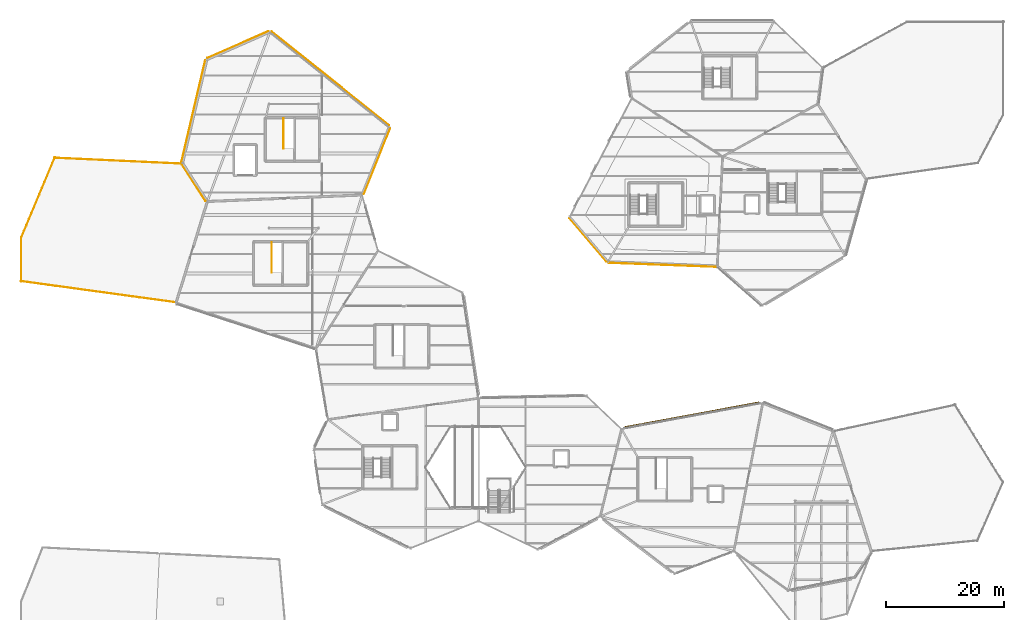
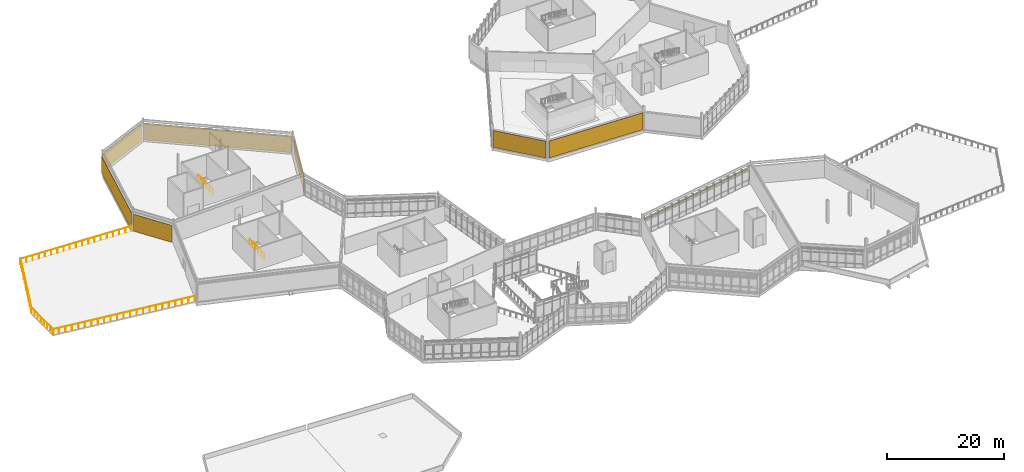
# One storey, part 74 of 76: 7 coverings, 6 railings, 1 shading device.
"""IFC4 building model written with IfcOpenShell, lengths in metres."""

from ifc_helpers import new_model, si_unit, direction, frame, frame_2d, origin, origin_2d, place, context, subcontext, project, spatial, rectangle, circle, extrude, material, layer, layer_set, type_object, element, save


model = new_model("IFC4")

# Units and contexts
model_context = context("Model", 3, precision=1e-05, world=origin(), true_north=direction((0.0, 1.0)))
body_context = subcontext(model_context, "Body", "Model", "MODEL_VIEW")
ifc_project = project(units=[si_unit("LENGTHUNIT", "METRE"), si_unit("AREAUNIT", "SQUARE_METRE"), si_unit("VOLUMEUNIT", "CUBIC_METRE"), si_unit("PLANEANGLEUNIT", "RADIAN"), si_unit("MASSUNIT", "GRAM", prefix="KILO")], contexts=[model_context])

# Site, building, storey
site_placement = place(None, origin())
site = spatial("IfcSite", under=ifc_project, at=site_placement, CompositionType="ELEMENT")
building_placement = place(site_placement, origin())
building = spatial("IfcBuilding", under=site, at=building_placement, Name="Tameran Prism Museum", CompositionType="ELEMENT")
storey_placement = place(building_placement, frame((0.0, 0.0, 15.0)))
storey = spatial("IfcBuildingStorey", under=building, at=storey_placement, Name="L03", CompositionType="ELEMENT", Elevation=15.0)

# Coverings
ifc_material_1 = material(Name="White Fluted Mineral Precast GRC", Category="concrete")
ifc_layer_1 = layer(ifc_material_1, 0.044921875)
ifc_layer_set_1 = layer_set([ifc_layer_1])
covering_type = type_object("IfcCoveringType", Name="CV-FLUTE-WHT", PredefinedType="CLADDING", material=ifc_layer_set_1)
covering_1_placement = place(storey_placement, frame((117.653076171875, 70.4189453125, 0.050048828125), z_axis=(0.0, 0.0, 1.0), x_axis=(-0.99928497739, 0.037809178279, 0.0)))
element("IfcCovering", 1, at=covering_1_placement, inside=storey, type_object=covering_type, Name="Vertical Fluted White Precast Panel CL-0048", PredefinedType="CLADDING", context=body_context, shape_type="SweptSolid", body=[
    extrude(rectangle(XDim=18.093017578125, YDim=0.044921875, at=frame_2d((9.04638671875, 0.0))), origin(), (0.0, 0.0, 1.0), 3.52001953125),
])
covering_2_placement = place(storey_placement, frame((99.138916015625, 71.31298828125, 0.050048828125), z_axis=(0.0, 0.0, 1.0), x_axis=(-0.649933824591, 0.759990804979, 0.0)))
element("IfcCovering", 2, at=covering_2_placement, inside=storey, type_object=covering_type, Name="Vertical Fluted White Precast Panel CL-0049", PredefinedType="CLADDING", context=body_context, shape_type="SweptSolid", body=[
    extrude(rectangle(XDim=9.640869140625, YDim=0.044921875, at=frame_2d((4.8203125, 0.0))), origin(), (0.0, 0.0, 1.0), 3.52001953125),
])
covering_3_placement = place(storey_placement, frame((62.537109375, 93.85107421875, 0.050048828125), z_axis=(0.0, 0.0, 1.0), x_axis=(-0.371394194095, -0.928475283781, 0.0)))
element("IfcCovering", 3, at=covering_3_placement, inside=storey, type_object=covering_type, Name="Vertical Fluted White Precast Panel CL-0058", PredefinedType="CLADDING", context=body_context, shape_type="SweptSolid", body=[
    extrude(rectangle(XDim=11.966064453125, YDim=0.044921875, at=frame_2d((5.98291015625, 0.0))), origin(), (0.0, 0.0, 1.0), 3.52001953125),
])
covering_4_placement = place(storey_placement, frame((42.47802734375, 110.260009765625, 0.050048828125), z_axis=(0.0, 0.0, 1.0), x_axis=(0.781985968603, -0.623296033123, 0.0)))
element("IfcCovering", 4, at=covering_4_placement, inside=storey, type_object=covering_type, Name="Vertical Fluted White Precast Panel CL-0059", PredefinedType="CLADDING", context=body_context, shape_type="SweptSolid", body=[
    extrude(rectangle(XDim=25.470947265625, YDim=0.044921875, at=frame_2d((12.7353515625, 0.0))), origin(), (0.0, 0.0, 1.0), 3.52001953125),
])
covering_5_placement = place(storey_placement, frame((31.575927734375, 105.77392578125, 0.050048828125), z_axis=(0.0, 0.0, 1.0), x_axis=(0.915578616836, 0.402139026199, 0.0)))
element("IfcCovering", 5, at=covering_5_placement, inside=storey, type_object=covering_type, Name="Vertical Fluted White Precast Panel CL-0060", PredefinedType="CLADDING", context=body_context, shape_type="SweptSolid", body=[
    extrude(rectangle(XDim=11.327392578125, YDim=0.044921875, at=frame_2d((5.66357421875, 0.0))), origin(), (0.0, 0.0, 1.0), 3.52001953125),
])
covering_6_placement = place(storey_placement, frame((27.22705078125, 88.22509765625, 0.050048828125), z_axis=(0.0, 0.0, 1.0), x_axis=(0.22811372204, 0.973634494981, 0.0)))
element("IfcCovering", 6, at=covering_6_placement, inside=storey, type_object=covering_type, Name="Vertical Fluted White Precast Panel CL-0061", PredefinedType="CLADDING", context=body_context, shape_type="SweptSolid", body=[
    extrude(rectangle(XDim=17.6142578125, YDim=0.044921875, at=frame_2d((8.80712890625, 0.0))), origin(), (0.0, 0.0, 1.0), 3.52001953125),
])
covering_7_placement = place(storey_placement, frame((31.284912109375, 81.58203125, 0.050048828125), z_axis=(0.0, 0.0, 1.0), x_axis=(-0.542718644277, 0.839914563009, 0.0)))
element("IfcCovering", 7, at=covering_7_placement, inside=storey, type_object=covering_type, Name="Vertical Fluted White Precast Panel CL-0062", PredefinedType="CLADDING", context=body_context, shape_type="SweptSolid", body=[
    extrude(rectangle(XDim=7.318603515625, YDim=0.044921875, at=frame_2d((3.6591796875, 0.0))), origin(), (0.0, 0.0, 1.0), 3.52001953125),
])

# Railings
ifc_material_2 = material(Name="Marine Stainless Steel 316", Category="steel")
ifc_layer_2 = layer(ifc_material_2, 0.054931640625)
ifc_layer_set_2 = layer_set([ifc_layer_2])
railing_type_1 = type_object("IfcRailingType", Name="RL-GR-1120", PredefinedType="GUARDRAIL", material=ifc_layer_set_2)
for number, where, name in (
    (8, (42.510009765625, 69.419921875, 0.0), "Stair Well Slot Guard GR-S152"),
    (9, (44.510009765625, 90.419921875, 0.0), "Stair Well Slot Guard GR-S212"),
):
    element("IfcRailing", number, at=place(storey_placement, frame(where)), inside=storey, type_object=railing_type_1, Name=name, PredefinedType="GUARDRAIL", context=body_context, shape_type="SweptSolid", body=[
        extrude(circle(Radius=0.02392578125, at=origin_2d()), frame((0.0, 0.0, 1.1259765625), z_axis=(0.0, 1.0, 0.0), x_axis=(-1.0, 0.0, 0.0)), (0.0, 0.0, 1.0), 5.130126953125),
        extrude(circle(Radius=0.02099609375, at=origin_2d()), origin(), (0.0, 0.0, 1.0), 1.101806640625),
        extrude(circle(Radius=0.02099609375, at=origin_2d()), frame((0.0, 1.026123046875, 0.0)), (0.0, 0.0, 1.0), 1.101806640625),
        extrude(circle(Radius=0.02099609375, at=origin_2d()), frame((0.0, 2.052001953125, 0.0)), (0.0, 0.0, 1.0), 1.101806640625),
        extrude(circle(Radius=0.02099609375, at=origin_2d()), frame((0.0, 3.078125, 0.0)), (0.0, 0.0, 1.0), 1.101806640625),
        extrude(circle(Radius=0.02099609375, at=origin_2d()), frame((0.0, 4.10400390625, 0.0)), (0.0, 0.0, 1.0), 1.101806640625),
        extrude(circle(Radius=0.02099609375, at=origin_2d()), frame((0.0, 5.130126953125, 0.0)), (0.0, 0.0, 1.0), 1.101806640625),
    ])
ifc_material_3 = material(Name="Marine Stainless Steel 316", Category="steel")
ifc_layer_3 = layer(ifc_material_3, 0.06005859375)
ifc_layer_set_3 = layer_set([ifc_layer_3])
railing_type_2 = type_object("IfcRailingType", Name="RL-TER-1120", PredefinedType="GUARDRAIL", material=ifc_layer_set_3)
railing_1_placement = place(storey_placement, frame((0.1201171875, 75.39990234375, 0.0)))
element("IfcRailing", 10, at=railing_1_placement, inside=storey, type_object=railing_type_2, Name="Terrace Guardrail GR-T019", PredefinedType="GUARDRAIL", context=body_context, shape_type="SweptSolid", body=[
    extrude(circle(Radius=0.02392578125, at=origin_2d()), frame((0.0, 0.0, 1.09619140625), z_axis=(0.0, -1.0, 0.0), x_axis=(1.0, 0.0, 0.0)), (0.0, 0.0, 1.0), 7.5),
    extrude(circle(Radius=0.02099609375, at=origin_2d()), origin(), (0.0, 0.0, 1.0), 1.072021484375),
    extrude(circle(Radius=0.02099609375, at=origin_2d()), frame((0.0, -1.071533203125, 0.0)), (0.0, 0.0, 1.0), 1.072021484375),
    extrude(circle(Radius=0.02099609375, at=origin_2d()), frame((0.0, -2.142822265625, 0.0)), (0.0, 0.0, 1.0), 1.072021484375),
    extrude(circle(Radius=0.02099609375, at=origin_2d()), frame((0.0, -3.21435546875, 0.0)), (0.0, 0.0, 1.0), 1.072021484375),
    extrude(circle(Radius=0.02099609375, at=origin_2d()), frame((0.0, -4.28564453125, 0.0)), (0.0, 0.0, 1.0), 1.072021484375),
    extrude(circle(Radius=0.02099609375, at=origin_2d()), frame((0.0, -5.357177734375, 0.0)), (0.0, 0.0, 1.0), 1.072021484375),
    extrude(circle(Radius=0.02099609375, at=origin_2d()), frame((0.0, -6.428466796875, 0.0)), (0.0, 0.0, 1.0), 1.072021484375),
    extrude(circle(Radius=0.02099609375, at=origin_2d()), frame((0.0, -7.5, 0.0)), (0.0, 0.0, 1.0), 1.072021484375),
])
railing_2_placement = place(storey_placement, frame((0.01611328125, 68.01904296875, 0.0)))
element("IfcRailing", 11, at=railing_2_placement, inside=storey, type_object=railing_type_2, Name="Terrace Guardrail GR-T020", PredefinedType="GUARDRAIL", context=body_context, shape_type="SweptSolid", body=[
    extrude(circle(Radius=0.02392578125, at=origin_2d()), frame((0.0, 0.0, 1.09619140625), z_axis=(0.990759178883, -0.135632774282, 0.0), x_axis=(0.135632774282, 0.990759178883, 0.0)), (0.0, 0.0, 1.0), 26.2099609375),
    extrude(circle(Radius=0.02099609375, at=origin_2d()), origin(), (0.0, 0.0, 1.0), 1.072021484375),
    extrude(circle(Radius=0.02099609375, at=origin_2d()), frame((1.180419921875, -0.16162109375, 0.0)), (0.0, 0.0, 1.0), 1.072021484375),
    extrude(circle(Radius=0.02099609375, at=origin_2d()), frame((2.360595703125, -0.3232421875, 0.0)), (0.0, 0.0, 1.0), 1.072021484375),
    extrude(circle(Radius=0.02099609375, at=origin_2d()), frame((3.541015625, -0.48486328125, 0.0)), (0.0, 0.0, 1.0), 1.072021484375),
    extrude(circle(Radius=0.02099609375, at=origin_2d()), frame((4.721435546875, -0.646240234375, 0.0)), (0.0, 0.0, 1.0), 1.072021484375),
    extrude(circle(Radius=0.02099609375, at=origin_2d()), frame((5.90185546875, -0.807861328125, 0.0)), (0.0, 0.0, 1.0), 1.072021484375),
    extrude(circle(Radius=0.02099609375, at=origin_2d()), frame((7.08203125, -0.969482421875, 0.0)), (0.0, 0.0, 1.0), 1.072021484375),
    extrude(circle(Radius=0.02099609375, at=origin_2d()), frame((8.262451171875, -1.131103515625, 0.0)), (0.0, 0.0, 1.0), 1.072021484375),
    extrude(circle(Radius=0.02099609375, at=origin_2d()), frame((9.44287109375, -1.292724609375, 0.0)), (0.0, 0.0, 1.0), 1.072021484375),
    extrude(circle(Radius=0.02099609375, at=origin_2d()), frame((10.623291015625, -1.454345703125, 0.0)), (0.0, 0.0, 1.0), 1.072021484375),
    extrude(circle(Radius=0.02099609375, at=origin_2d()), frame((11.803466796875, -1.615966796875, 0.0)), (0.0, 0.0, 1.0), 1.072021484375),
    extrude(circle(Radius=0.02099609375, at=origin_2d()), frame((12.98388671875, -1.77734375, 0.0)), (0.0, 0.0, 1.0), 1.072021484375),
    extrude(circle(Radius=0.02099609375, at=origin_2d()), frame((14.164306640625, -1.93896484375, 0.0)), (0.0, 0.0, 1.0), 1.072021484375),
    extrude(circle(Radius=0.02099609375, at=origin_2d()), frame((15.344482421875, -2.1005859375, 0.0)), (0.0, 0.0, 1.0), 1.072021484375),
    extrude(circle(Radius=0.02099609375, at=origin_2d()), frame((16.52490234375, -2.26220703125, 0.0)), (0.0, 0.0, 1.0), 1.072021484375),
    extrude(circle(Radius=0.02099609375, at=origin_2d()), frame((17.705322265625, -2.423828125, 0.0)), (0.0, 0.0, 1.0), 1.072021484375),
    extrude(circle(Radius=0.02099609375, at=origin_2d()), frame((18.8857421875, -2.58544921875, 0.0)), (0.0, 0.0, 1.0), 1.072021484375),
    extrude(circle(Radius=0.02099609375, at=origin_2d()), frame((20.06591796875, -2.7470703125, 0.0)), (0.0, 0.0, 1.0), 1.072021484375),
    extrude(circle(Radius=0.02099609375, at=origin_2d()), frame((21.246337890625, -2.90869140625, 0.0)), (0.0, 0.0, 1.0), 1.072021484375),
    extrude(circle(Radius=0.02099609375, at=origin_2d()), frame((22.4267578125, -3.070068359375, 0.0)), (0.0, 0.0, 1.0), 1.072021484375),
    extrude(circle(Radius=0.02099609375, at=origin_2d()), frame((23.607177734375, -3.231689453125, 0.0)), (0.0, 0.0, 1.0), 1.072021484375),
    extrude(circle(Radius=0.02099609375, at=origin_2d()), frame((24.787353515625, -3.393310546875, 0.0)), (0.0, 0.0, 1.0), 1.072021484375),
    extrude(circle(Radius=0.02099609375, at=origin_2d()), frame((25.9677734375, -3.554931640625, 0.0)), (0.0, 0.0, 1.0), 1.072021484375),
])
railing_3_placement = place(storey_placement, frame((27.06591796875, 87.89501953125, 0.0)))
element("IfcRailing", 12, at=railing_3_placement, inside=storey, type_object=railing_type_2, Name="Terrace Guardrail GR-T021", PredefinedType="GUARDRAIL", context=body_context, shape_type="SweptSolid", body=[
    extrude(circle(Radius=0.02392578125, at=origin_2d()), frame((0.0, 0.0, 1.09619140625), z_axis=(-0.998939898112, 0.046033465644, 0.0), x_axis=(-0.046033465644, -0.998939898112, 0.0)), (0.0, 0.0, 1.0), 21.39453125),
    extrude(circle(Radius=0.02099609375, at=origin_2d()), origin(), (0.0, 0.0, 1.0), 1.072021484375),
    extrude(circle(Radius=0.02099609375, at=origin_2d()), frame((-1.187255859375, 0.0546875, 0.0)), (0.0, 0.0, 1.0), 1.072021484375),
    extrude(circle(Radius=0.02099609375, at=origin_2d()), frame((-2.374755859375, 0.109375, 0.0)), (0.0, 0.0, 1.0), 1.072021484375),
    extrude(circle(Radius=0.02099609375, at=origin_2d()), frame((-3.56201171875, 0.1640625, 0.0)), (0.0, 0.0, 1.0), 1.072021484375),
    extrude(circle(Radius=0.02099609375, at=origin_2d()), frame((-4.749267578125, 0.21875, 0.0)), (0.0, 0.0, 1.0), 1.072021484375),
    extrude(circle(Radius=0.02099609375, at=origin_2d()), frame((-5.9365234375, 0.273681640625, 0.0)), (0.0, 0.0, 1.0), 1.072021484375),
    extrude(circle(Radius=0.02099609375, at=origin_2d()), frame((-7.1240234375, 0.328369140625, 0.0)), (0.0, 0.0, 1.0), 1.072021484375),
    extrude(circle(Radius=0.02099609375, at=origin_2d()), frame((-8.311279296875, 0.383056640625, 0.0)), (0.0, 0.0, 1.0), 1.072021484375),
    extrude(circle(Radius=0.02099609375, at=origin_2d()), frame((-9.49853515625, 0.437744140625, 0.0)), (0.0, 0.0, 1.0), 1.072021484375),
    extrude(circle(Radius=0.02099609375, at=origin_2d()), frame((-10.68603515625, 0.492431640625, 0.0)), (0.0, 0.0, 1.0), 1.072021484375),
    extrude(circle(Radius=0.02099609375, at=origin_2d()), frame((-11.873291015625, 0.547119140625, 0.0)), (0.0, 0.0, 1.0), 1.072021484375),
    extrude(circle(Radius=0.02099609375, at=origin_2d()), frame((-13.060546875, 0.601806640625, 0.0)), (0.0, 0.0, 1.0), 1.072021484375),
    extrude(circle(Radius=0.02099609375, at=origin_2d()), frame((-14.247802734375, 0.656494140625, 0.0)), (0.0, 0.0, 1.0), 1.072021484375),
    extrude(circle(Radius=0.02099609375, at=origin_2d()), frame((-15.435302734375, 0.711181640625, 0.0)), (0.0, 0.0, 1.0), 1.072021484375),
    extrude(circle(Radius=0.02099609375, at=origin_2d()), frame((-16.62255859375, 0.76611328125, 0.0)), (0.0, 0.0, 1.0), 1.072021484375),
    extrude(circle(Radius=0.02099609375, at=origin_2d()), frame((-17.809814453125, 0.82080078125, 0.0)), (0.0, 0.0, 1.0), 1.072021484375),
    extrude(circle(Radius=0.02099609375, at=origin_2d()), frame((-18.9970703125, 0.87548828125, 0.0)), (0.0, 0.0, 1.0), 1.072021484375),
    extrude(circle(Radius=0.02099609375, at=origin_2d()), frame((-20.1845703125, 0.93017578125, 0.0)), (0.0, 0.0, 1.0), 1.072021484375),
    extrude(circle(Radius=0.02099609375, at=origin_2d()), frame((-21.371826171875, 0.98486328125, 0.0)), (0.0, 0.0, 1.0), 1.072021484375),
])
railing_4_placement = place(storey_placement, frame((5.81103515625, 88.9541015625, 0.0)))
element("IfcRailing", 13, at=railing_4_placement, inside=storey, type_object=railing_type_2, Name="Terrace Guardrail GR-T022", PredefinedType="GUARDRAIL", context=body_context, shape_type="SweptSolid", body=[
    extrude(circle(Radius=0.02392578125, at=origin_2d()), frame((0.0, 0.0, 1.09619140625), z_axis=(-0.386535452216, -0.922274549242, 0.0), x_axis=(0.922274549242, -0.386535452216, 0.0)), (0.0, 0.0, 1.0), 14.746337890625),
    extrude(circle(Radius=0.02099609375, at=origin_2d()), origin(), (0.0, 0.0, 1.0), 1.072021484375),
    extrude(circle(Radius=0.02099609375, at=origin_2d()), frame((-0.4384765625, -1.046142578125, 0.0)), (0.0, 0.0, 1.0), 1.072021484375),
    extrude(circle(Radius=0.02099609375, at=origin_2d()), frame((-0.876953125, -2.09228515625, 0.0)), (0.0, 0.0, 1.0), 1.072021484375),
    extrude(circle(Radius=0.02099609375, at=origin_2d()), frame((-1.3154296875, -3.138427734375, 0.0)), (0.0, 0.0, 1.0), 1.072021484375),
    extrude(circle(Radius=0.02099609375, at=origin_2d()), frame((-1.75390625, -4.1845703125, 0.0)), (0.0, 0.0, 1.0), 1.072021484375),
    extrude(circle(Radius=0.02099609375, at=origin_2d()), frame((-2.1923828125, -5.230712890625, 0.0)), (0.0, 0.0, 1.0), 1.072021484375),
    extrude(circle(Radius=0.02099609375, at=origin_2d()), frame((-2.630859375, -6.27685546875, 0.0)), (0.0, 0.0, 1.0), 1.072021484375),
    extrude(circle(Radius=0.02099609375, at=origin_2d()), frame((-3.069091796875, -7.3232421875, 0.0)), (0.0, 0.0, 1.0), 1.072021484375),
    extrude(circle(Radius=0.02099609375, at=origin_2d()), frame((-3.507568359375, -8.369384765625, 0.0)), (0.0, 0.0, 1.0), 1.072021484375),
    extrude(circle(Radius=0.02099609375, at=origin_2d()), frame((-3.946044921875, -9.41552734375, 0.0)), (0.0, 0.0, 1.0), 1.072021484375),
    extrude(circle(Radius=0.02099609375, at=origin_2d()), frame((-4.384521484375, -10.461669921875, 0.0)), (0.0, 0.0, 1.0), 1.072021484375),
    extrude(circle(Radius=0.02099609375, at=origin_2d()), frame((-4.822998046875, -11.5078125, 0.0)), (0.0, 0.0, 1.0), 1.072021484375),
    extrude(circle(Radius=0.02099609375, at=origin_2d()), frame((-5.261474609375, -12.553955078125, 0.0)), (0.0, 0.0, 1.0), 1.072021484375),
    extrude(circle(Radius=0.02099609375, at=origin_2d()), frame((-5.699951171875, -13.60009765625, 0.0)), (0.0, 0.0, 1.0), 1.072021484375),
])

# Shading device
ifc_material_4 = material(Name="Anodised Aluminium Alloy 6063-T6", Category="aluminium")
ifc_layer_4 = layer(ifc_material_4, 0.044921875)
ifc_layer_set_4 = layer_set([ifc_layer_4])
shading_device_type = type_object("IfcShadingDeviceType", Name="SH-JAL-240", PredefinedType="JALOUSIE", material=ifc_layer_set_4)
shading_device_placement = place(storey_placement, frame((113.614990234375, 45.376953125, 3.139892578125), z_axis=(0.0, 0.0, 1.0), x_axis=(0.983476816388, 0.1810341173, 0.0)))
element("IfcShadingDevice", 14, at=shading_device_placement, inside=storey, type_object=shading_device_type, Name="Monsoon Storm Louvre SLV-064", PredefinedType="JALOUSIE", context=body_context, shape_type="SweptSolid", body=[
    extrude(rectangle(XDim=23.076904296875, YDim=0.260009765625, at=origin_2d()), origin(), (0.0, 0.0, 1.0), 0.06005859375),
])

save(model, "model.ifc")
